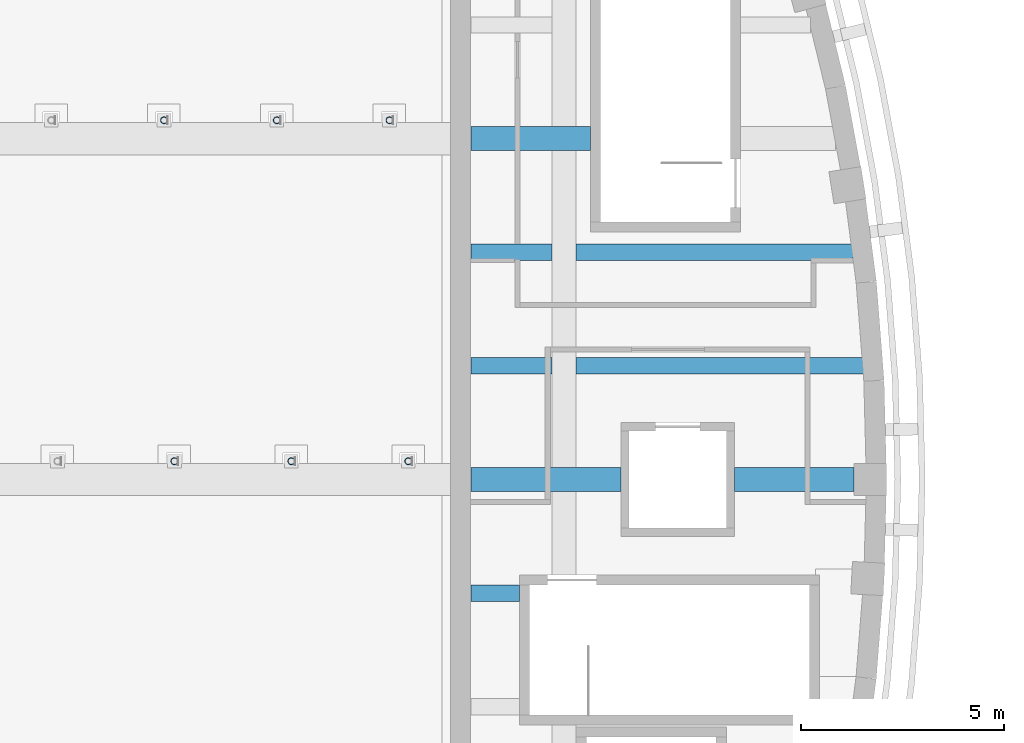
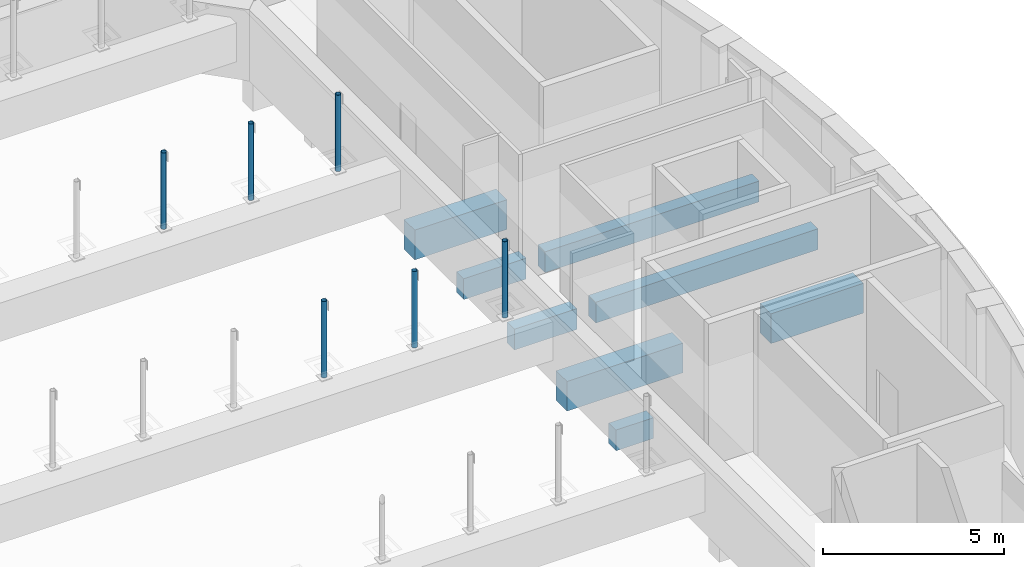
# One storey, part 16 of 47: 8 beams, 6 members.
"""IFC4 building model written with IfcOpenShell, lengths in metres."""

from ifc_helpers import new_model, si_unit, direction, frame, origin, origin_2d, place, context, subcontext, project, spatial, rectangle, hollow_circle, extrude, material, material_profile, profile_set, type_object, element, save


model = new_model("IFC4")

# Units and contexts
model_context = context("Model", 3, precision=1e-05, world=origin(), true_north=direction((0.0, 1.0)))
body_context = subcontext(model_context, "Body", "Model", "MODEL_VIEW")
ifc_project = project(units=[si_unit("LENGTHUNIT", "METRE"), si_unit("AREAUNIT", "SQUARE_METRE"), si_unit("VOLUMEUNIT", "CUBIC_METRE"), si_unit("PLANEANGLEUNIT", "RADIAN"), si_unit("MASSUNIT", "GRAM", prefix="KILO")], contexts=[model_context])

# Site, building, storey
site_placement = place(None, origin())
site = spatial("IfcSite", under=ifc_project, at=site_placement, CompositionType="ELEMENT")
building_placement = place(site_placement, origin())
building = spatial("IfcBuilding", under=site, at=building_placement, Name="Larchfold Concert Hall", CompositionType="ELEMENT")
storey_placement = place(building_placement, frame((0.0, 0.0, 24.0)))
storey = spatial("IfcBuildingStorey", under=building, at=storey_placement, Name="L05", CompositionType="ELEMENT", Elevation=24.0)

# Beams
ifc_material_1 = material(Name="Concrete C35/45", Category="concrete")
ifc_material_profile_1 = material_profile(ifc_material_1, rectangle(XDim=0.39990234375, YDim=0.699951171875, at=origin_2d()))
ifc_profile_set_1 = profile_set([ifc_material_profile_1], Name="Concrete C35/45")
beam_type_1 = type_object("IfcBeamType", Name="Beam RC 400x700", PredefinedType="BEAM", material=ifc_profile_set_1)
beam_1_placement = place(storey_placement, frame((57.110107421875, 81.800048828125, -0.550048828125), z_axis=(1.0, 0.0, 0.0), x_axis=(0.0, 1.0, 0.0)))
element("IfcBeam", 1, at=beam_1_placement, inside=storey, type_object=beam_type_1, Name="Beam B1567", PredefinedType="BEAM", context=body_context, shape_type="SweptSolid", body=[
    extrude(rectangle(XDim=0.39990234375, YDim=0.699951171875, at=origin_2d()), origin(), (0.0, 0.0, 1.0), 1.18994140625),
])
beam_2_placement = place(storey_placement, frame((57.110107421875, 87.39990234375, -0.550048828125), z_axis=(1.0, 0.0, 0.0), x_axis=(0.0, 1.0, 0.0)))
element("IfcBeam", 2, at=beam_2_placement, inside=storey, type_object=beam_type_1, Name="Beam B1570", PredefinedType="BEAM", context=body_context, shape_type="SweptSolid", body=[
    extrude(rectangle(XDim=0.39990234375, YDim=0.699951171875, at=origin_2d()), origin(), (0.0, 0.0, 1.0), 1.989990234375),
])
beam_3_placement = place(storey_placement, frame((59.699951171875, 87.39990234375, -0.550048828125), z_axis=(1.0, 0.0, 0.0), x_axis=(0.0, 1.0, 0.0)))
element("IfcBeam", 3, at=beam_3_placement, inside=storey, type_object=beam_type_1, Name="Beam B1571", PredefinedType="BEAM", context=body_context, shape_type="SweptSolid", body=[
    extrude(rectangle(XDim=0.39990234375, YDim=0.699951171875, at=origin_2d()), origin(), (0.0, 0.0, 1.0), 7.078125),
])
beam_4_placement = place(storey_placement, frame((57.110107421875, 90.199951171875, -0.550048828125), z_axis=(1.0, 0.0, 0.0), x_axis=(0.0, 1.0, 0.0)))
element("IfcBeam", 4, at=beam_4_placement, inside=storey, type_object=beam_type_1, Name="Beam B1574", PredefinedType="BEAM", context=body_context, shape_type="SweptSolid", body=[
    extrude(rectangle(XDim=0.39990234375, YDim=0.699951171875, at=origin_2d()), origin(), (0.0, 0.0, 1.0), 1.989990234375),
])
beam_5_placement = place(storey_placement, frame((59.699951171875, 90.199951171875, -0.550048828125), z_axis=(1.0, 0.0, 0.0), x_axis=(0.0, 1.0, 0.0)))
element("IfcBeam", 5, at=beam_5_placement, inside=storey, type_object=beam_type_1, Name="Beam B1575", PredefinedType="BEAM", context=body_context, shape_type="SweptSolid", body=[
    extrude(rectangle(XDim=0.39990234375, YDim=0.699951171875, at=origin_2d()), origin(), (0.0, 0.0, 1.0), 6.81982421875),
])
ifc_material_2 = material(Name="Concrete C35/45", Category="concrete")
ifc_material_profile_2 = material_profile(ifc_material_2, rectangle(XDim=0.60009765625, YDim=1.0, at=origin_2d()))
ifc_profile_set_2 = profile_set([ifc_material_profile_2], Name="Concrete C35/45")
beam_type_2 = type_object("IfcBeamType", Name="Beam RC 600x1000", PredefinedType="BEAM", material=ifc_profile_set_2)
beam_6_placement = place(storey_placement, frame((57.110107421875, 84.60009765625, -0.699951171875), z_axis=(1.0, 0.0, 0.0), x_axis=(0.0, 1.0, 0.0)))
element("IfcBeam", 6, at=beam_6_placement, inside=storey, type_object=beam_type_2, Name="Beam B1540", PredefinedType="BEAM", context=body_context, shape_type="SweptSolid", body=[
    extrude(rectangle(XDim=0.60009765625, YDim=1.0, at=origin_2d()), origin(), (0.0, 0.0, 1.0), 3.68994140625),
])
beam_7_placement = place(storey_placement, frame((63.60009765625, 84.60009765625, -0.699951171875), z_axis=(1.0, 0.0, 0.0), x_axis=(0.0, 1.0, 0.0)))
element("IfcBeam", 7, at=beam_7_placement, inside=storey, type_object=beam_type_2, Name="Beam B1541", PredefinedType="BEAM", context=body_context, shape_type="SweptSolid", body=[
    extrude(rectangle(XDim=0.60009765625, YDim=1.0, at=origin_2d()), origin(), (0.0, 0.0, 1.0), 2.949951171875),
])
beam_8_placement = place(storey_placement, frame((57.110107421875, 93.0, -0.699951171875), z_axis=(1.0, 0.0, 0.0), x_axis=(0.0, 1.0, 0.0)))
element("IfcBeam", 8, at=beam_8_placement, inside=storey, type_object=beam_type_2, Name="Beam B1544", PredefinedType="BEAM", context=body_context, shape_type="SweptSolid", body=[
    extrude(rectangle(XDim=0.60009765625, YDim=1.0, at=origin_2d()), origin(), (0.0, 0.0, 1.0), 2.93994140625),
])

# Members
ifc_material_3 = material(Name="Steel S355J2H", Category="steel")
ifc_material_profile_3 = material_profile(ifc_material_3, hollow_circle(Radius=0.084228515625, WallThickness=0.008056640625, at=origin_2d()))
ifc_profile_set_3 = profile_set([ifc_material_profile_3], Name="Steel S355J2H")
member_type = type_object("IfcMemberType", Name="Truss post CHS 168.3x8", PredefinedType="POST", material=ifc_profile_set_3)
for number, where, z_axis, x_axis, name in (
    (9, (49.801513671875, 85.050048828125, 2.080078125), (0.0, 0.0, 1.0), (1.0, 0.0, 0.0), "Member TP028"),
    (10, (52.681884765625, 85.050048828125, 2.080078125), (0.0, 0.0, 1.0), (1.0, 0.0, 0.0), "Member TP029"),
    (11, (55.5625, 85.050048828125, 2.080078125), (0.0, 0.0, 1.0), (1.0, 0.0, 0.0), "Member TP030"),
    (12, (49.544921875, 93.4501953125, 2.080078125), (0.0, 0.0, 1.0), (1.0, 0.0, 0.0), "Member TP038"),
    (13, (52.322998046875, 93.4501953125, 2.080078125), (0.0, 0.0, 1.0), (1.0, 0.0, 0.0), "Member TP039"),
    (14, (55.100830078125, 93.4501953125, 2.080078125), (0.0, 0.0, 1.0), (1.0, 0.0, 0.0), "Member TP040"),
):
    element("IfcMember", number, at=place(storey_placement, frame(where, z_axis=z_axis, x_axis=x_axis)), inside=storey, type_object=member_type, Name=name, PredefinedType="POST", context=body_context, shape_type="SweptSolid", body=[
        extrude(hollow_circle(Radius=0.084228515625, WallThickness=0.008056640625, at=origin_2d()), origin(), (0.0, 0.0, 1.0), 2.570068359375),
    ])

save(model, "model.ifc")
